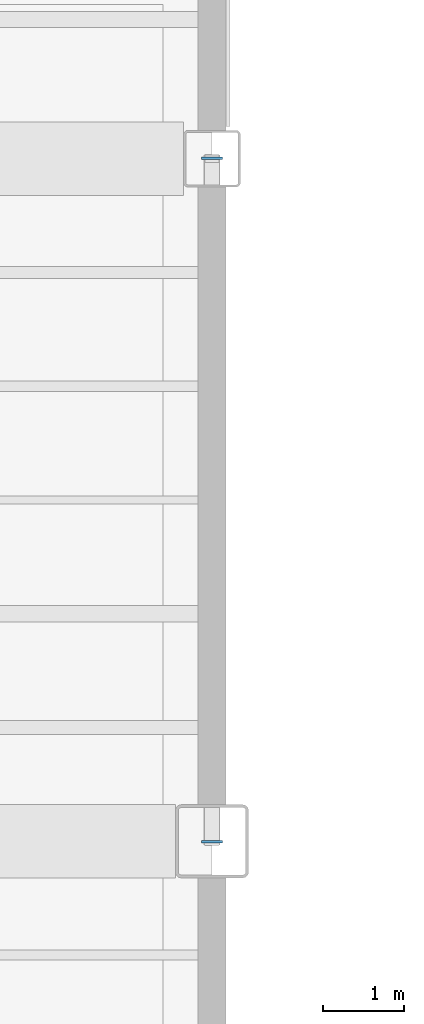
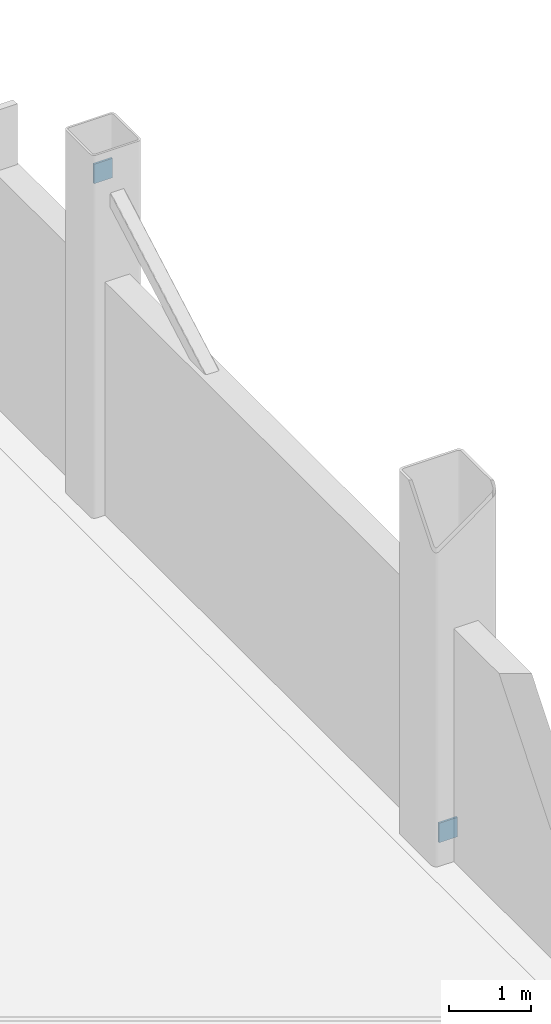
# One storey, part 82 of 111: 2 plates.
"""IFC4 building model written with IfcOpenShell, lengths in metres."""

from ifc_helpers import new_model, si_unit, direction, frame, origin, origin_2d, place, context, subcontext, project, spatial, rectangle, extrude, material, layer, layer_set, type_object, element, save


model = new_model("IFC4")

# Units and contexts
model_context = context("Model", 3, precision=1e-05, world=origin(), true_north=direction((0.0, 1.0)))
body_context = subcontext(model_context, "Body", "Model", "MODEL_VIEW")
ifc_project = project(units=[si_unit("LENGTHUNIT", "METRE"), si_unit("AREAUNIT", "SQUARE_METRE"), si_unit("VOLUMEUNIT", "CUBIC_METRE"), si_unit("PLANEANGLEUNIT", "RADIAN"), si_unit("MASSUNIT", "GRAM", prefix="KILO")], contexts=[model_context])

# Site, building, storey
site_placement = place(None, origin())
site = spatial("IfcSite", under=ifc_project, at=site_placement, CompositionType="ELEMENT")
building_placement = place(site_placement, origin())
building = spatial("IfcBuilding", under=site, at=building_placement, Name="Larkvane Passage Sports Hall", CompositionType="ELEMENT")
storey_placement = place(building_placement, origin())
storey = spatial("IfcBuildingStorey", under=building, at=storey_placement, Name="L00", CompositionType="ELEMENT", Elevation=0.0)

# Plates
ifc_material = material(Name="Steel S355JR", Category="steel")
ifc_layer = layer(ifc_material, 0.011962890625)
ifc_layer_set = layer_set([ifc_layer], Name="Steel S355JR")
plate_type = type_object("IfcPlateType", Name="PLT-CAP-12", PredefinedType="SHEET", material=ifc_layer_set)
for number, where, z_axis, x_axis, name in (
    (1, (145.60009765625, 31.19482421875, 0.002685546875), (0.0, 0.0, 1.0), (-1.0, 0.0, 0.0), "Hollow section sealed end cap plate 0580"),
    (2, (145.60009765625, 39.605224609375, 4.708251953125), (0.0, 0.0, 1.0), (-1.0, 0.0, 0.0), "Hollow section sealed end cap plate 0581"),
):
    element("IfcPlate", number, at=place(storey_placement, frame(where, z_axis=z_axis, x_axis=x_axis)), inside=storey, type_object=plate_type, Name=name, PredefinedType="SHEET", context=body_context, shape_type="SweptSolid", body=[
        extrude(rectangle(XDim=0.260009765625, YDim=0.028076171875, at=origin_2d()), origin(), (0.0, 0.0, 1.0), 0.2890625),
    ])

save(model, "model.ifc")
